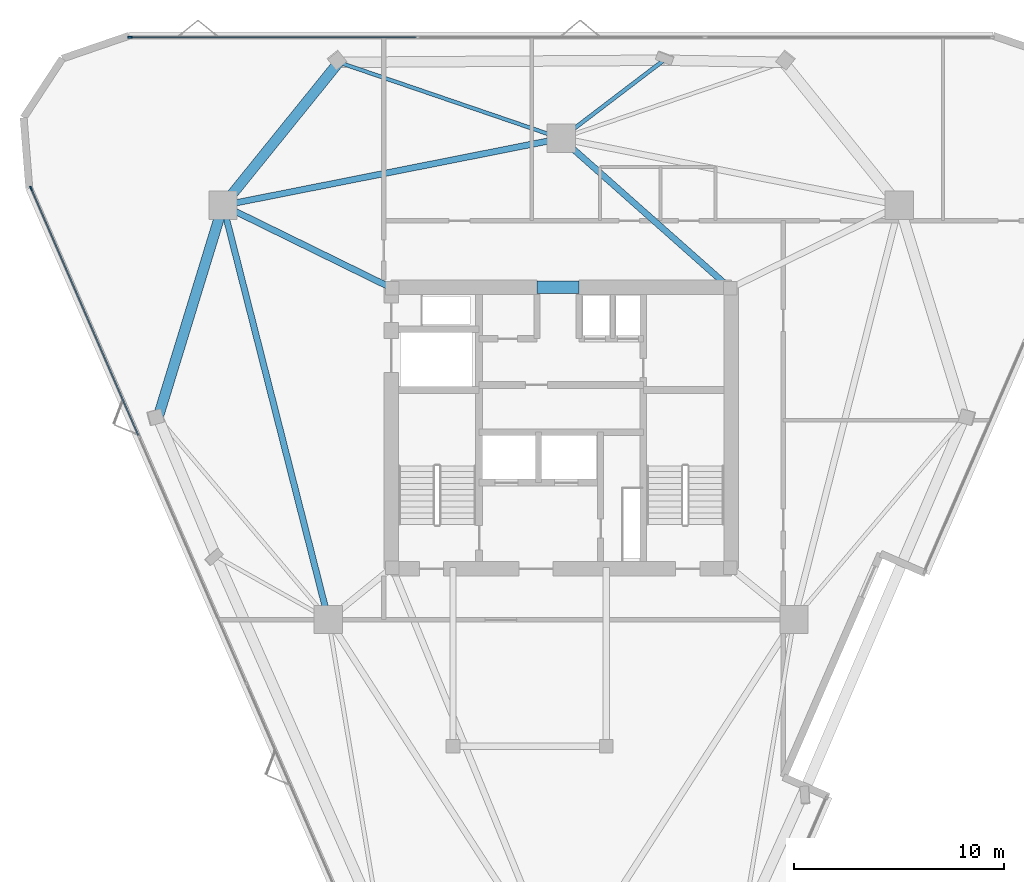
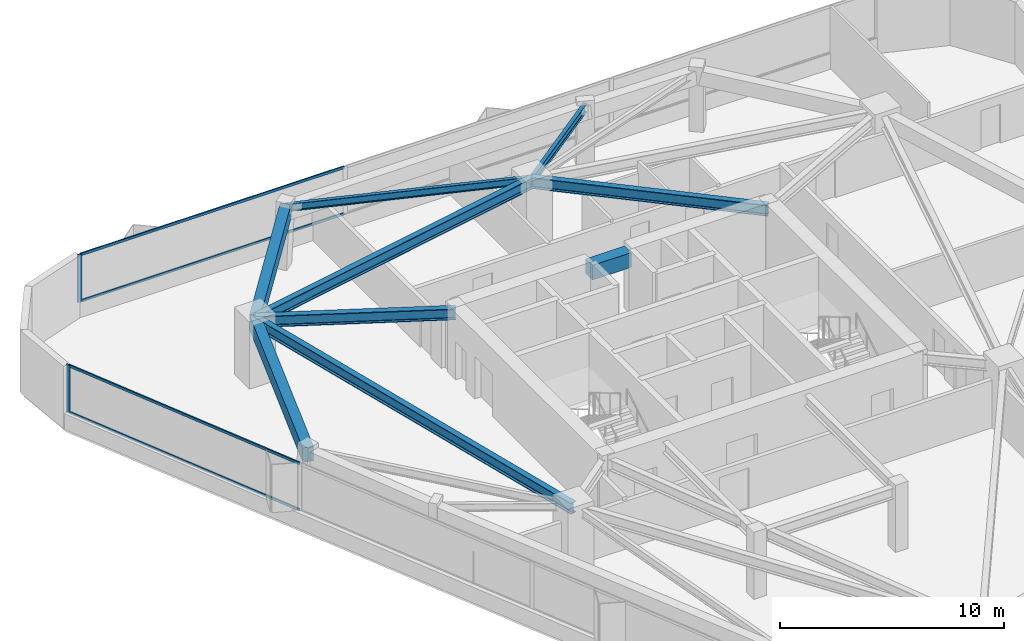
# One storey, part 4 of 10: 9 beams, 6 members, 2 elements without a shape of their own.
"""IFC4 building model written with IfcOpenShell, lengths in metres."""

from ifc_helpers import new_model, si_unit, direction, frame, origin, origin_2d, place, context, subcontext, project, spatial, rectangle, i_section, extrude, material, layer, layer_set, material_profile, profile_set, type_object, element, aggregate, save


model = new_model("IFC4")

# Units and contexts
model_context = context("Model", 3, precision=1e-05, world=origin(), true_north=direction((0.0, 1.0)))
body_context = subcontext(model_context, "Body", "Model", "MODEL_VIEW")
ifc_project = project(units=[si_unit("LENGTHUNIT", "METRE"), si_unit("AREAUNIT", "SQUARE_METRE"), si_unit("VOLUMEUNIT", "CUBIC_METRE"), si_unit("PLANEANGLEUNIT", "RADIAN"), si_unit("MASSUNIT", "GRAM", prefix="KILO")], contexts=[model_context])

# Site, building, storey
site_placement = place(None, origin())
site = spatial("IfcSite", under=ifc_project, at=site_placement, CompositionType="ELEMENT")
building_placement = place(site_placement, origin())
building = spatial("IfcBuilding", under=site, at=building_placement, Name="Talyreon Biosciences Tower", CompositionType="ELEMENT")
storey_placement = place(building_placement, frame((0.0, 0.0, 204.949951171875)))
storey = spatial("IfcBuildingStorey", under=building, at=storey_placement, Name="L54", CompositionType="ELEMENT", Elevation=204.949951171875)

# Curtain wall, member
ifc_material_1 = material(Name="Thermally broken aluminium and low-E glazing", Category="aluminium")
ifc_layer = layer(ifc_material_1, 0.205078125)
ifc_layer_set = layer_set([ifc_layer], Name="Thermally broken aluminium and low-E glazing")
curtain_wall_type = type_object("IfcCurtainWallType", Name="CurtainWall_SkyGardenLoggia", PredefinedType="NOTDEFINED", material=ifc_layer_set)
curtain_wall_1_placement = place(storey_placement, origin())
curtain_wall_1 = element("IfcCurtainWall", 1, at=curtain_wall_1_placement, inside=storey, type_object=curtain_wall_type, Name="L54 Unitised Curtain Wall FCW-L54-03", PredefinedType="NOTDEFINED")
ifc_material_2 = material(Name="Anodised thermally broken aluminium", Category="aluminium")
ifc_material_profile_1 = material_profile(ifc_material_2, rectangle(XDim=0.074951171875, YDim=0.2099609375, at=origin_2d()), Name="ALUM MULLION 75x210")
ifc_profile_set_1 = profile_set([ifc_material_profile_1], Name="Anodised thermally broken aluminium")
member_type_1 = type_object("IfcMemberType", Name="CWMullion_75x210", PredefinedType="MULLION", material=ifc_profile_set_1)
member_1_placement = place(storey_placement, frame((45.47216796875, 86.605224609375, 0.81005859375), z_axis=(0.0, 0.0, 1.0), x_axis=(0.0, 1.0, 0.0)))
member_1 = element("IfcMember", 2, at=member_1_placement, type_object=member_type_1, Name="CW7 mullion 1", PredefinedType="MULLION", context=body_context, shape_type="SweptSolid", body=[
    extrude(rectangle(XDim=0.074951171875, YDim=0.2099609375, at=origin_2d()), origin(), (0.0, 0.0, 1.0), 2.590087890625),
])

curtain_wall_2_placement = place(storey_placement, origin())
curtain_wall_2 = element("IfcCurtainWall", 3, at=curtain_wall_2_placement, inside=storey, type_object=curtain_wall_type, Name="L54 Unitised Curtain Wall FCW-L54-15", PredefinedType="NOTDEFINED")
member_2_placement = place(storey_placement, frame((40.75390625, 79.409912109375, 0.81005859375), z_axis=(0.0, 0.0, 1.0), x_axis=(-0.917113439943, -0.398626314079, 0.0)))
member_2 = element("IfcMember", 4, at=member_2_placement, type_object=member_type_1, Name="CW7 mullion 5", PredefinedType="MULLION", context=body_context, shape_type="SweptSolid", body=[
    extrude(rectangle(XDim=0.074951171875, YDim=0.2099609375, at=origin_2d()), origin(), (0.0, 0.0, 1.0), 2.590087890625),
])

# Member
ifc_material_profile_2 = material_profile(ifc_material_2, rectangle(XDim=0.06494140625, YDim=0.139892578125, at=origin_2d()), Name="ALUM TRANSOM 65x140")
ifc_profile_set_2 = profile_set([ifc_material_profile_2], Name="Anodised thermally broken aluminium")
member_type_2 = type_object("IfcMemberType", Name="CWTransom_65x140", PredefinedType="USERDEFINED", material=ifc_profile_set_2)
member_3_placement = place(storey_placement, frame((45.509521484375, 86.605224609375, 0.842529296875), z_axis=(1.0, 0.0, 0.0), x_axis=(0.0, 1.0, 0.0)))
member_3 = element("IfcMember", 5, at=member_3_placement, type_object=member_type_2, Name="CW7 transom 1.1", ObjectType="TRANSOM", PredefinedType="USERDEFINED", context=body_context, shape_type="SweptSolid", body=[
    extrude(rectangle(XDim=0.06494140625, YDim=0.139892578125, at=origin_2d()), origin(), (0.0, 0.0, 1.0), 13.597900390625),
])

member_4_placement = place(storey_placement, frame((45.509521484375, 86.605224609375, 3.367431640625), z_axis=(1.0, 0.0, 0.0), x_axis=(0.0, 1.0, 0.0)))
member_4 = element("IfcMember", 6, at=member_4_placement, type_object=member_type_2, Name="CW7 transom 1.2", ObjectType="TRANSOM", PredefinedType="USERDEFINED", context=body_context, shape_type="SweptSolid", body=[
    extrude(rectangle(XDim=0.06494140625, YDim=0.139892578125, at=origin_2d()), origin(), (0.0, 0.0, 1.0), 13.597900390625),
])

aggregate(curtain_wall_1, [member_1, member_3, member_4])

member_5_placement = place(storey_placement, frame((45.865478515625, 67.650146484375, 0.842529296875), z_axis=(-0.39864092303, 0.917107089977, 0.0), x_axis=(-0.917107089977, -0.39864092303, 0.0)))
member_5 = element("IfcMember", 7, at=member_5_placement, type_object=member_type_2, Name="CW7 transom 4.1", ObjectType="TRANSOM", PredefinedType="USERDEFINED", context=body_context, shape_type="SweptSolid", body=[
    extrude(rectangle(XDim=0.06494140625, YDim=0.139892578125, at=origin_2d()), origin(), (0.0, 0.0, 1.0), 12.78515625),
])

member_6_placement = place(storey_placement, frame((45.865478515625, 67.650146484375, 3.367431640625), z_axis=(-0.39864092303, 0.917107089977, 0.0), x_axis=(-0.917107089977, -0.39864092303, 0.0)))
member_6 = element("IfcMember", 8, at=member_6_placement, type_object=member_type_2, Name="CW7 transom 4.2", ObjectType="TRANSOM", PredefinedType="USERDEFINED", context=body_context, shape_type="SweptSolid", body=[
    extrude(rectangle(XDim=0.06494140625, YDim=0.139892578125, at=origin_2d()), origin(), (0.0, 0.0, 1.0), 12.78515625),
])

aggregate(curtain_wall_2, [member_2, member_5, member_6])

# Beams
ifc_material_3 = material(Name="Concrete C50/60", Category="concrete")
ifc_material_profile_3 = material_profile(ifc_material_3, rectangle(XDim=0.60009765625, YDim=0.800048828125, at=origin_2d()), Name="RCB 600x800")
ifc_profile_set_3 = profile_set([ifc_material_profile_3], Name="Concrete C50/60")
beam_type_1 = type_object("IfcBeamType", Name="CoreCouplingLintel_600x800", PredefinedType="LINTEL", material=ifc_profile_set_3)
beam_1_placement = place(storey_placement, frame((64.85009765625, 74.699951171875, 3.0), z_axis=(1.0, 0.0, 0.0), x_axis=(0.0, 1.0, 0.0)))
element("IfcBeam", 9, at=beam_1_placement, inside=storey, type_object=beam_type_1, Name="L54 Core Coupling Lintel", PredefinedType="LINTEL", context=body_context, shape_type="SweptSolid", body=[
    extrude(rectangle(XDim=0.60009765625, YDim=0.800048828125, at=origin_2d()), origin(), (0.0, 0.0, 1.0), 2.0),
])
ifc_material_4 = material(Name="Precast concrete C45/55", Category="concrete")
ifc_material_profile_4 = material_profile(ifc_material_4, rectangle(XDim=0.5, YDim=0.780029296875, at=origin_2d()), Name="RCB 500x780")
ifc_profile_set_4 = profile_set([ifc_material_profile_4], Name="Precast concrete C45/55")
beam_type_2 = type_object("IfcBeamType", Name="ExpressedSpandrel_500x780", PredefinedType="SPANDREL", material=ifc_profile_set_4)
beam_2_placement = place(storey_placement, frame((55.404052734375, 85.412841796875, 3.010009765625), z_axis=(-0.628514172769, -0.777798132312, 0.0), x_axis=(0.777798132312, -0.628514172769, 0.0)))
element("IfcBeam", 10, at=beam_2_placement, inside=storey, type_object=beam_type_2, Name="L54 Expressed Horizontal Concrete Spandrel 08", PredefinedType="SPANDREL", context=body_context, shape_type="SweptSolid", body=[
    extrude(rectangle(XDim=0.5, YDim=0.780029296875, at=origin_2d()), origin(), (0.0, 0.0, 1.0), 8.760986328125),
])
beam_3_placement = place(storey_placement, frame((49.897705078125, 78.5986328125, 3.010009765625), z_axis=(-0.293196150938, -0.956052308755, 0.0), x_axis=(0.956052308755, -0.293196150938, 0.0)))
element("IfcBeam", 11, at=beam_3_placement, inside=storey, type_object=beam_type_2, Name="L54 Expressed Horizontal Concrete Spandrel 09", PredefinedType="SPANDREL", context=body_context, shape_type="SweptSolid", body=[
    extrude(rectangle(XDim=0.5, YDim=0.780029296875, at=origin_2d()), origin(), (0.0, 0.0, 1.0), 10.568359375),
])
ifc_material_5 = material(Name="Steel SM355", Category="steel")
ifc_material_profile_5 = material_profile(ifc_material_5, i_section(OverallWidth=0.300048828125, OverallDepth=0.60009765625, WebThickness=0.015380859375, FlangeThickness=0.030029296875, FilletRadius=0.027099609375, at=origin_2d()), Name="HE600B")
ifc_profile_set_5 = profile_set([ifc_material_profile_5], Name="Steel SM355")
beam_type_3 = type_object("IfcBeamType", Name="SteelBeam_HE600B", PredefinedType="BEAM", material=ifc_profile_set_5)
beam_4_placement = place(storey_placement, frame((66.0, 81.788818359375, 3.10009765625), z_axis=(-0.980933730698, -0.194342522311, 0.0), x_axis=(0.194342522311, -0.980933730698, 0.0)))
element("IfcBeam", 12, at=beam_4_placement, inside=storey, type_object=beam_type_3, Name="L54 Mega-Ring Girder 4", PredefinedType="BEAM", context=body_context, shape_type="SweptSolid", body=[
    extrude(i_section(OverallWidth=0.300048828125, OverallDepth=0.60009765625, WebThickness=0.015380859375, FlangeThickness=0.030029296875, FilletRadius=0.027099609375, at=origin_2d()), origin(), (0.0, 0.0, 1.0), 16.415283203125),
])
beam_5_placement = place(storey_placement, frame((49.897705078125, 78.5986328125, 3.10009765625), z_axis=(0.246537082299, -0.969133358755, 0.0), x_axis=(0.969133358755, 0.246537082299, 0.0)))
element("IfcBeam", 13, at=beam_5_placement, inside=storey, type_object=beam_type_3, Name="L54 Mega-Ring Girder 5", PredefinedType="BEAM", context=body_context, shape_type="SweptSolid", body=[
    extrude(i_section(OverallWidth=0.300048828125, OverallDepth=0.60009765625, WebThickness=0.015380859375, FlangeThickness=0.030029296875, FilletRadius=0.027099609375, at=origin_2d()), origin(), (0.0, 0.0, 1.0), 20.34619140625),
])
beam_6_placement = place(storey_placement, frame((74.050048828125, 74.64990234375, 3.10009765625), z_axis=(-0.748178733955, 0.663497235908, 0.0), x_axis=(-0.663497235908, -0.748178733955, 0.0)))
element("IfcBeam", 14, at=beam_6_placement, inside=storey, type_object=beam_type_3, Name="L54 Radial Primary Girder 4", PredefinedType="BEAM", context=body_context, shape_type="SweptSolid", body=[
    extrude(i_section(OverallWidth=0.300048828125, OverallDepth=0.60009765625, WebThickness=0.015380859375, FlangeThickness=0.030029296875, FilletRadius=0.027099609375, at=origin_2d()), origin(), (0.0, 0.0, 1.0), 10.759521484375),
])
beam_7_placement = place(storey_placement, frame((57.949951171875, 74.64990234375, 3.10009765625), z_axis=(-0.897852360314, 0.440296648952, 0.0), x_axis=(-0.440296648952, -0.897852360314, 0.0)))
element("IfcBeam", 15, at=beam_7_placement, inside=storey, type_object=beam_type_3, Name="L54 Radial Primary Girder 5", PredefinedType="BEAM", context=body_context, shape_type="SweptSolid", body=[
    extrude(i_section(OverallWidth=0.300048828125, OverallDepth=0.60009765625, WebThickness=0.015380859375, FlangeThickness=0.030029296875, FilletRadius=0.027099609375, at=origin_2d()), origin(), (0.0, 0.0, 1.0), 8.96826171875),
])
ifc_material_profile_6 = material_profile(ifc_material_5, i_section(OverallWidth=0.179931640625, OverallDepth=0.39990234375, WebThickness=0.008544921875, FlangeThickness=0.013427734375, FilletRadius=0.02099609375, at=origin_2d()), Name="IPE400")
ifc_profile_set_6 = profile_set([ifc_material_profile_6], Name="Steel SM355")
beam_type_4 = type_object("IfcBeamType", Name="SteelJoist_IPE400", PredefinedType="JOIST", material=ifc_profile_set_6)
beam_8_placement = place(storey_placement, frame((66.0, 81.788818359375, 3.199951171875), z_axis=(-0.946188756753, 0.323615260138, 0.0), x_axis=(-0.323615260138, -0.946188756753, 0.0)))
element("IfcBeam", 16, at=beam_8_placement, inside=storey, type_object=beam_type_4, Name="L54 Radial Composite Floor Joist PC-N2", PredefinedType="JOIST", context=body_context, shape_type="SweptSolid", body=[
    extrude(i_section(OverallWidth=0.179931640625, OverallDepth=0.39990234375, WebThickness=0.008544921875, FlangeThickness=0.013427734375, FilletRadius=0.02099609375, at=origin_2d()), origin(), (0.0, 0.0, 1.0), 11.198486328125),
])
ifc_material_profile_7 = material_profile(ifc_material_5, i_section(OverallWidth=0.18994140625, OverallDepth=0.449951171875, WebThickness=0.009521484375, FlangeThickness=0.0146484375, FilletRadius=0.02099609375, at=origin_2d()), Name="IPE450")
ifc_profile_set_7 = profile_set([ifc_material_profile_7], Name="Steel SM355")
beam_type_5 = type_object("IfcBeamType", Name="SteelJoist_IPE450", PredefinedType="JOIST", material=ifc_profile_set_7)
beam_9_placement = place(storey_placement, frame((66.0, 81.788818359375, 3.175048828125), z_axis=(0.795579397301, 0.605849339845, 0.0), x_axis=(-0.605849339845, 0.795579397301, 0.0)))
element("IfcBeam", 17, at=beam_9_placement, inside=storey, type_object=beam_type_5, Name="L54 Radial Composite Floor Joist PL-N", PredefinedType="JOIST", context=body_context, shape_type="SweptSolid", body=[
    extrude(i_section(OverallWidth=0.18994140625, OverallDepth=0.449951171875, WebThickness=0.009521484375, FlangeThickness=0.0146484375, FilletRadius=0.02099609375, at=origin_2d()), origin(), (0.0, 0.0, 1.0), 6.14697265625),
])

save(model, "model.ifc")
